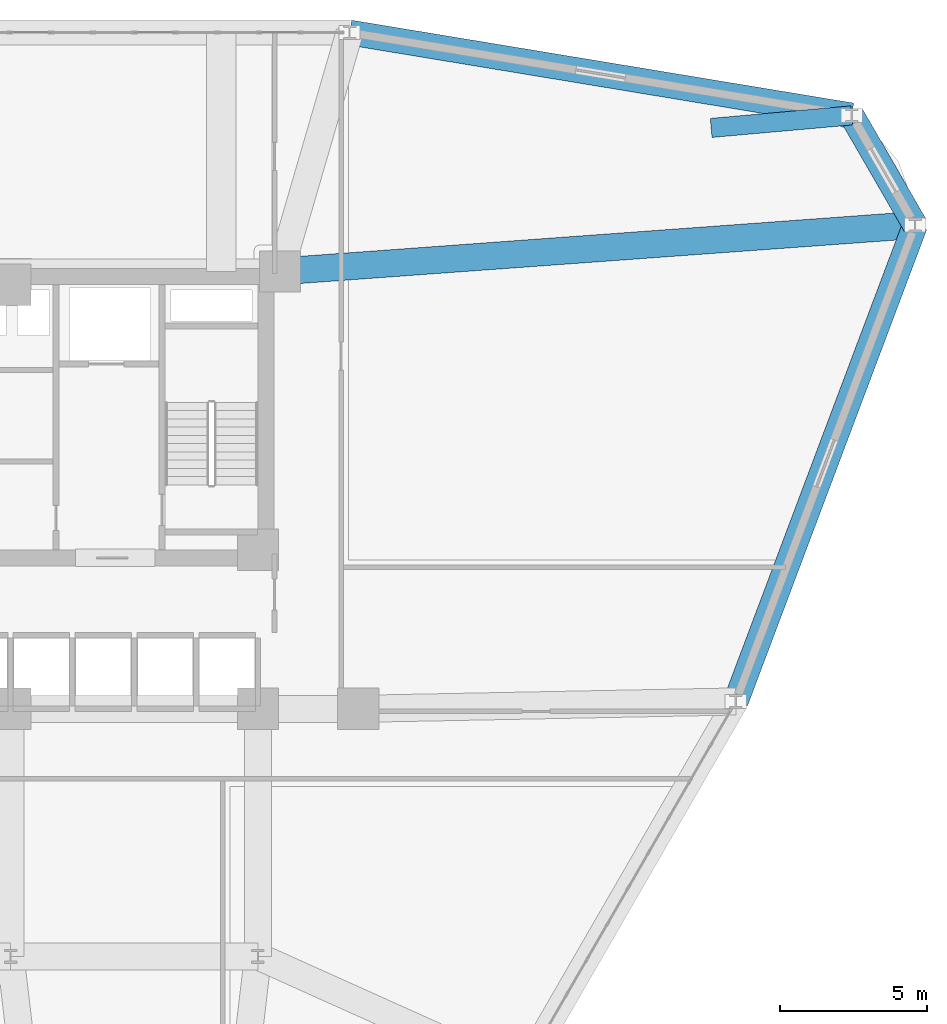
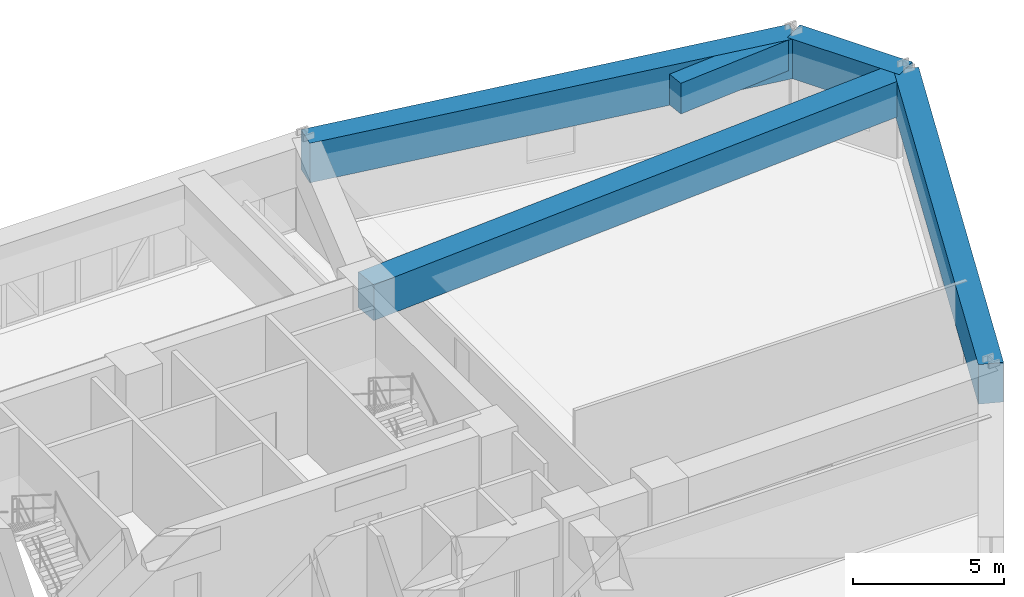
# One storey, part 11 of 18: 5 beams.
"""IFC4 building model written with IfcOpenShell, lengths in metres."""

from ifc_helpers import new_model, si_unit, derived_unit, direction, frame, origin, origin_2d, place, context, subcontext, project, spatial, rectangle, extrude, source, transform, mapped, material, material_profile, profile_set, type_object, element, save


model = new_model("IFC4")

# Units and contexts
model_context = context("Model", 3, precision=1e-05, world=origin(), true_north=direction((0.0, 1.0)))
body_context = subcontext(model_context, "Body", "Model", "MODEL_VIEW")
ifc_project = project(units=[si_unit("LENGTHUNIT", "METRE"), si_unit("AREAUNIT", "SQUARE_METRE"), si_unit("VOLUMEUNIT", "CUBIC_METRE"), si_unit("PLANEANGLEUNIT", "RADIAN"), si_unit("MASSUNIT", "GRAM", prefix="KILO"), derived_unit("THERMALTRANSMITTANCEUNIT", [(si_unit("POWERUNIT", "WATT"), 1), (si_unit("LENGTHUNIT", "METRE"), -2), (si_unit("THERMODYNAMICTEMPERATUREUNIT", "KELVIN"), -1)])], contexts=[model_context])

# Site, building, storey
site_placement = place(None, origin())
site = spatial("IfcSite", under=ifc_project, at=site_placement, CompositionType="ELEMENT")
building_placement = place(site_placement, origin())
building = spatial("IfcBuilding", under=site, at=building_placement, Name="Korsvarv Bourse and Concert Hall", CompositionType="ELEMENT")
storey_placement = place(building_placement, frame((0.0, 0.0, 95.10009765625)))
storey = spatial("IfcBuildingStorey", under=building, at=storey_placement, Name="L23", CompositionType="ELEMENT", Elevation=95.10009765625)

# Beams
ifc_material_1 = material(Name="Concrete C55/67", Category="concrete")
ifc_material_profile_1 = material_profile(ifc_material_1, rectangle(XDim=0.85009765625, YDim=1.60009765625, at=origin_2d()), Name="RC-BM 850x1600")
ifc_profile_set_1 = profile_set([ifc_material_profile_1], Name="Concrete C55/67")
beam_type_1 = type_object("IfcBeamType", Name="BM-TR1B", PredefinedType="BEAM", material=ifc_profile_set_1)
shared_shape_1 = source(origin(), body_context, "Body", "SweptSolid", [
    extrude(rectangle(XDim=0.85009765625, YDim=1.60009765625, at=origin_2d()), origin(), (0.0, 0.0, 1.0), 4.301025390625),
])
beam_1_placement = place(storey_placement, frame((66.705078125, 48.819580078125, 2.869873046875), z_axis=(-0.50004020135, 0.86600219228, 0.0), x_axis=(-0.86600219228, -0.50004020135, 0.0)))
element("IfcBeam", 1, at=beam_1_placement, inside=storey, type_object=beam_type_1, Name="L23 beam B-TR2", PredefinedType="BEAM", context=body_context, shape_type="MappedRepresentation", body=[
    mapped(shared_shape_1, transform((0.0, 0.0, 0.0), scale=1.0)),
])
shared_shape_2 = source(origin(), body_context, "Body", "SweptSolid", [
    extrude(rectangle(XDim=0.85009765625, YDim=1.60009765625, at=origin_2d()), origin(), (0.0, 0.0, 1.0), 17.276123046875),
])
for number, where, z_axis, x_axis, name in (
    (2, (64.554443359375, 52.544189453125, 2.869873046875), (-0.986647870676, 0.162867981173, 0.0), (-0.162867981173, -0.986647870676, 0.0), "L23 beam B-TR2"),
    (3, (60.618896484375, 32.65087890625, 2.869873046875), (0.352286219309, 0.935892312013, 0.0), (-0.935892312013, 0.352286219309, 0.0), "L23 beam B-TR2"),
):
    element("IfcBeam", number, at=place(storey_placement, frame(where, z_axis=z_axis, x_axis=x_axis)), inside=storey, type_object=beam_type_1, Name=name, PredefinedType="BEAM", context=body_context, shape_type="MappedRepresentation", body=[
        mapped(shared_shape_2, transform((0.0, 0.0, 0.0), scale=1.0)),
    ])
ifc_material_2 = material(Name="Concrete C50/60", Category="concrete")
ifc_material_profile_2 = material_profile(ifc_material_2, rectangle(XDim=0.919921875, YDim=1.43994140625, at=origin_2d()), Name="RC-BM 920x1440")
ifc_profile_set_2 = profile_set([ifc_material_profile_2], Name="Concrete C50/60")
beam_type_2 = type_object("IfcBeamType", Name="BM-TR-144", PredefinedType="BEAM", material=ifc_profile_set_2)
shared_shape_3 = source(origin(), body_context, "Body", "SweptSolid", [
    extrude(rectangle(XDim=0.919921875, YDim=1.43994140625, at=origin_2d()), origin(), (0.0, 0.0, 1.0), 21.6123046875),
])
beam_2_placement = place(storey_placement, frame((66.705078125, 48.819580078125, 2.949951171875), z_axis=(-0.997359349421, -0.072624569684, 0.0), x_axis=(0.072624569684, -0.997359349421, 0.0)))
element("IfcBeam", 4, at=beam_2_placement, inside=storey, type_object=beam_type_2, Name="L23 beam B-TR4", PredefinedType="BEAM", context=body_context, shape_type="MappedRepresentation", body=[
    mapped(shared_shape_3, transform((0.0, 0.0, 0.0), scale=1.0)),
])
ifc_material_profile_3 = material_profile(ifc_material_2, rectangle(XDim=0.64990234375, YDim=1.239990234375, at=origin_2d()), Name="RC-BM 650x1240")
ifc_profile_set_3 = profile_set([ifc_material_profile_3], Name="Concrete C50/60")
beam_type_3 = type_object("IfcBeamType", Name="BM-TR-SPN", PredefinedType="BEAM", material=ifc_profile_set_3)
shared_shape_4 = source(origin(), body_context, "Body", "SweptSolid", [
    extrude(rectangle(XDim=0.64990234375, YDim=1.239990234375, at=origin_2d()), origin(), (0.0, 0.0, 1.0), 4.79052734375),
])
beam_3_placement = place(storey_placement, frame((64.554443359375, 52.544189453125, 3.0498046875), z_axis=(-0.996060646282, -0.088674623921, 0.0), x_axis=(0.088674623921, -0.996060646282, 0.0)))
element("IfcBeam", 5, at=beam_3_placement, inside=storey, type_object=beam_type_3, Name="L23 Block-Shift Transfer Girder 2", PredefinedType="BEAM", context=body_context, shape_type="MappedRepresentation", body=[
    mapped(shared_shape_4, transform((0.0, 0.0, 0.0), scale=1.0)),
])

save(model, "model.ifc")
